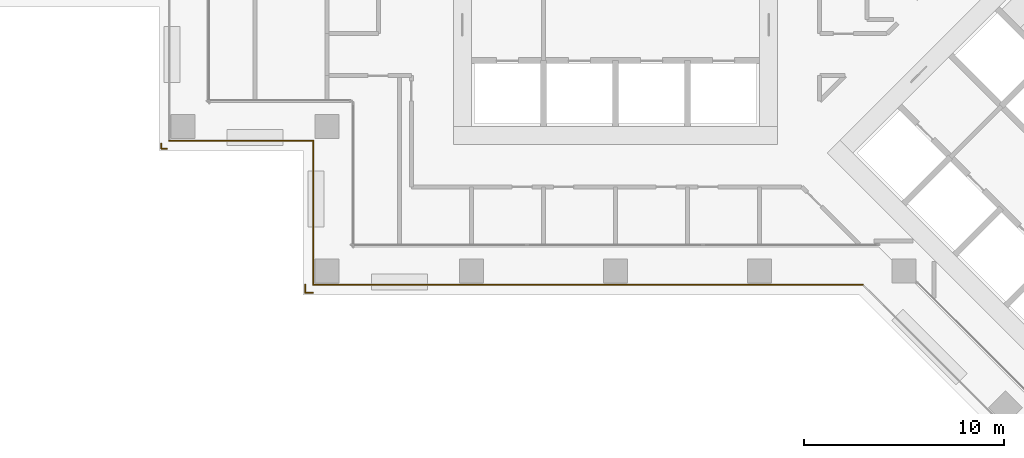
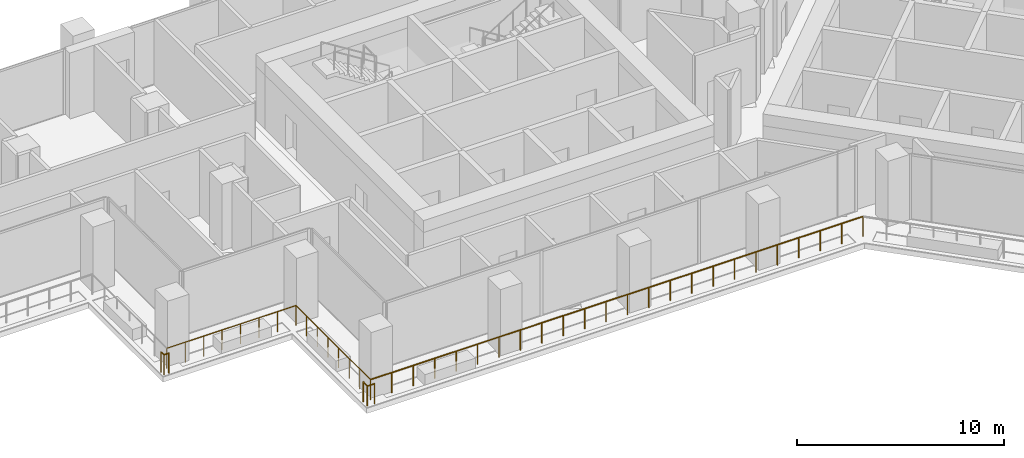
# One storey, part 16 of 24: 7 railings.
"""IFC4 building model written with IfcOpenShell, lengths in metres."""

from ifc_helpers import new_model, si_unit, direction, frame, origin, origin_2d, place, context, subcontext, project, spatial, circle, extrude, material, type_object, element, save


model = new_model("IFC4")

# Units and contexts
model_context = context("Model", 3, precision=1e-05, world=origin(), true_north=direction((0.0, 1.0)))
body_context = subcontext(model_context, "Body", "Model", "MODEL_VIEW")
ifc_project = project(units=[si_unit("LENGTHUNIT", "METRE"), si_unit("AREAUNIT", "SQUARE_METRE"), si_unit("VOLUMEUNIT", "CUBIC_METRE"), si_unit("PLANEANGLEUNIT", "RADIAN"), si_unit("MASSUNIT", "GRAM", prefix="KILO")], contexts=[model_context])

# Site, building, storey
site_placement = place(None, origin())
site = spatial("IfcSite", under=ifc_project, at=site_placement, CompositionType="ELEMENT")
building_placement = place(site_placement, origin())
building = spatial("IfcBuilding", under=site, at=building_placement, Name="Windrow Commons", CompositionType="ELEMENT")
storey_placement = place(building_placement, frame((0.0, 0.0, 77.0)))
storey = spatial("IfcBuildingStorey", under=building, at=storey_placement, Name="L20", CompositionType="ELEMENT", Elevation=77.0)

# Railings
ifc_material = material(Name="Stainless steel S316 balustrade with toughened glass infill", Category="steel")
railing_type = type_object("IfcRailingType", Name="Terrace guard 1200 podium", PredefinedType="BALUSTRADE", material=ifc_material)
railing_1_placement = place(storey_placement, frame((77.163, 42.5, 0.05)))
element("IfcRailing", 1, at=railing_1_placement, inside=storey, type_object=railing_type, Name="Guard TR-L20-1.E1", PredefinedType="BALUSTRADE", context=body_context, shape_type="SweptSolid", body=[
    extrude(circle(Radius=0.025, at=origin_2d()), frame((0.0, 0.0, 1.175), z_axis=(-1.0, 0.0, 0.0), x_axis=(0.0, -1.0, 0.0)), (0.0, 0.0, 1.0), 27.463),
    extrude(circle(Radius=0.02, at=origin_2d()), origin(), (0.0, 0.0, 1.0), 1.15),
    extrude(circle(Radius=0.02, at=origin_2d()), frame((-1.194, 0.0, 0.0)), (0.0, 0.0, 1.0), 1.15),
    extrude(circle(Radius=0.02, at=origin_2d()), frame((-2.3881, 0.0, 0.0)), (0.0, 0.0, 1.0), 1.15),
    extrude(circle(Radius=0.02, at=origin_2d()), frame((-3.5821, 0.0, 0.0)), (0.0, 0.0, 1.0), 1.15),
    extrude(circle(Radius=0.02, at=origin_2d()), frame((-4.7762, 0.0, 0.0)), (0.0, 0.0, 1.0), 1.15),
    extrude(circle(Radius=0.02, at=origin_2d()), frame((-5.9702, 0.0, 0.0)), (0.0, 0.0, 1.0), 1.15),
    extrude(circle(Radius=0.02, at=origin_2d()), frame((-7.1643, 0.0, 0.0)), (0.0, 0.0, 1.0), 1.15),
    extrude(circle(Radius=0.02, at=origin_2d()), frame((-8.3583, 0.0, 0.0)), (0.0, 0.0, 1.0), 1.15),
    extrude(circle(Radius=0.02, at=origin_2d()), frame((-9.5523, 0.0, 0.0)), (0.0, 0.0, 1.0), 1.15),
    extrude(circle(Radius=0.02, at=origin_2d()), frame((-10.7464, 0.0, 0.0)), (0.0, 0.0, 1.0), 1.15),
    extrude(circle(Radius=0.02, at=origin_2d()), frame((-11.9404, 0.0, 0.0)), (0.0, 0.0, 1.0), 1.15),
    extrude(circle(Radius=0.02, at=origin_2d()), frame((-13.1345, 0.0, 0.0)), (0.0, 0.0, 1.0), 1.15),
    extrude(circle(Radius=0.02, at=origin_2d()), frame((-14.3285, 0.0, 0.0)), (0.0, 0.0, 1.0), 1.15),
    extrude(circle(Radius=0.02, at=origin_2d()), frame((-15.5226, 0.0, 0.0)), (0.0, 0.0, 1.0), 1.15),
    extrude(circle(Radius=0.02, at=origin_2d()), frame((-16.7166, 0.0, 0.0)), (0.0, 0.0, 1.0), 1.15),
    extrude(circle(Radius=0.02, at=origin_2d()), frame((-17.9107, 0.0, 0.0)), (0.0, 0.0, 1.0), 1.15),
    extrude(circle(Radius=0.02, at=origin_2d()), frame((-19.1047, 0.0, 0.0)), (0.0, 0.0, 1.0), 1.15),
    extrude(circle(Radius=0.02, at=origin_2d()), frame((-20.2987, 0.0, 0.0)), (0.0, 0.0, 1.0), 1.15),
    extrude(circle(Radius=0.02, at=origin_2d()), frame((-21.4928, 0.0, 0.0)), (0.0, 0.0, 1.0), 1.15),
    extrude(circle(Radius=0.02, at=origin_2d()), frame((-22.6868, 0.0, 0.0)), (0.0, 0.0, 1.0), 1.15),
    extrude(circle(Radius=0.02, at=origin_2d()), frame((-23.8809, 0.0, 0.0)), (0.0, 0.0, 1.0), 1.15),
    extrude(circle(Radius=0.02, at=origin_2d()), frame((-25.0749, 0.0, 0.0)), (0.0, 0.0, 1.0), 1.15),
    extrude(circle(Radius=0.02, at=origin_2d()), frame((-26.269, 0.0, 0.0)), (0.0, 0.0, 1.0), 1.15),
    extrude(circle(Radius=0.02, at=origin_2d()), frame((-27.463, 0.0, 0.0)), (0.0, 0.0, 1.0), 1.15),
])
railing_2_placement = place(storey_placement, frame((49.7, 42.5, 0.05)))
element("IfcRailing", 2, at=railing_2_placement, inside=storey, type_object=railing_type, Name="Guard TR-L20-1.E2", PredefinedType="BALUSTRADE", context=body_context, shape_type="SweptSolid", body=[
    extrude(circle(Radius=0.025, at=origin_2d()), frame((0.0, 0.0, 1.175), z_axis=(0.0, 1.0, 0.0), x_axis=(-1.0, 0.0, 0.0)), (0.0, 0.0, 1.0), 7.2),
    extrude(circle(Radius=0.02, at=origin_2d()), origin(), (0.0, 0.0, 1.0), 1.15),
    extrude(circle(Radius=0.02, at=origin_2d()), frame((0.0, 1.0286, 0.0)), (0.0, 0.0, 1.0), 1.15),
    extrude(circle(Radius=0.02, at=origin_2d()), frame((0.0, 2.0571, 0.0)), (0.0, 0.0, 1.0), 1.15),
    extrude(circle(Radius=0.02, at=origin_2d()), frame((0.0, 3.0857, 0.0)), (0.0, 0.0, 1.0), 1.15),
    extrude(circle(Radius=0.02, at=origin_2d()), frame((0.0, 4.1143, 0.0)), (0.0, 0.0, 1.0), 1.15),
    extrude(circle(Radius=0.02, at=origin_2d()), frame((0.0, 5.1429, 0.0)), (0.0, 0.0, 1.0), 1.15),
    extrude(circle(Radius=0.02, at=origin_2d()), frame((0.0, 6.1714, 0.0)), (0.0, 0.0, 1.0), 1.15),
    extrude(circle(Radius=0.02, at=origin_2d()), frame((0.0, 7.2, 0.0)), (0.0, 0.0, 1.0), 1.15),
])
railing_3_placement = place(storey_placement, frame((49.7, 49.7, 0.05)))
element("IfcRailing", 3, at=railing_3_placement, inside=storey, type_object=railing_type, Name="Guard TR-L20-1.E3", PredefinedType="BALUSTRADE", context=body_context, shape_type="SweptSolid", body=[
    extrude(circle(Radius=0.025, at=origin_2d()), frame((0.0, 0.0, 1.175), z_axis=(-1.0, 0.0, 0.0), x_axis=(0.0, -1.0, 0.0)), (0.0, 0.0, 1.0), 7.2),
    extrude(circle(Radius=0.02, at=origin_2d()), origin(), (0.0, 0.0, 1.0), 1.15),
    extrude(circle(Radius=0.02, at=origin_2d()), frame((-1.0286, 0.0, 0.0)), (0.0, 0.0, 1.0), 1.15),
    extrude(circle(Radius=0.02, at=origin_2d()), frame((-2.0571, 0.0, 0.0)), (0.0, 0.0, 1.0), 1.15),
    extrude(circle(Radius=0.02, at=origin_2d()), frame((-3.0857, 0.0, 0.0)), (0.0, 0.0, 1.0), 1.15),
    extrude(circle(Radius=0.02, at=origin_2d()), frame((-4.1143, 0.0, 0.0)), (0.0, 0.0, 1.0), 1.15),
    extrude(circle(Radius=0.02, at=origin_2d()), frame((-5.1429, 0.0, 0.0)), (0.0, 0.0, 1.0), 1.15),
    extrude(circle(Radius=0.02, at=origin_2d()), frame((-6.1714, 0.0, 0.0)), (0.0, 0.0, 1.0), 1.15),
    extrude(circle(Radius=0.02, at=origin_2d()), frame((-7.2, 0.0, 0.0)), (0.0, 0.0, 1.0), 1.15),
])
railing_4_placement = place(storey_placement, frame((42.3857, 49.3, 0.05)))
element("IfcRailing", 4, at=railing_4_placement, inside=storey, type_object=railing_type, Name="Guard TR-L20-1.C26", PredefinedType="BALUSTRADE", context=body_context, shape_type="SweptSolid", body=[
    extrude(circle(Radius=0.025, at=origin_2d()), frame((0.0, 0.0, 1.175), z_axis=(-1.0, 0.0, 0.0), x_axis=(0.0, -1.0, 0.0)), (0.0, 0.0, 1.0), 0.2752),
    extrude(circle(Radius=0.02, at=origin_2d()), origin(), (0.0, 0.0, 1.0), 1.15),
    extrude(circle(Radius=0.02, at=origin_2d()), frame((-0.2752, 0.0, 0.0)), (0.0, 0.0, 1.0), 1.15),
])
railing_5_placement = place(storey_placement, frame((42.1105, 49.3, 0.05)))
element("IfcRailing", 5, at=railing_5_placement, inside=storey, type_object=railing_type, Name="Guard TR-L20-1.C27", PredefinedType="BALUSTRADE", context=body_context, shape_type="SweptSolid", body=[
    extrude(circle(Radius=0.025, at=origin_2d()), frame((0.0, 0.0, 1.175), z_axis=(-0.0396363762, 0.9992141701, 0.0), x_axis=(-0.9992141701, -0.0396363762, 0.0)), (0.0, 0.0, 1.0), 0.2649),
    extrude(circle(Radius=0.02, at=origin_2d()), origin(), (0.0, 0.0, 1.0), 1.15),
    extrude(circle(Radius=0.02, at=origin_2d()), frame((-0.0105, 0.2647, 0.0)), (0.0, 0.0, 1.0), 1.15),
])
railing_6_placement = place(storey_placement, frame((49.6927, 42.1, 0.05)))
element("IfcRailing", 6, at=railing_6_placement, inside=storey, type_object=railing_type, Name="Guard TR-L20-1.C28", PredefinedType="BALUSTRADE", context=body_context, shape_type="SweptSolid", body=[
    extrude(circle(Radius=0.025, at=origin_2d()), frame((0.0, 0.0, 1.175), z_axis=(-0.9998176726, 0.0190950663, 0.0), x_axis=(-0.0190950663, -0.9998176726, 0.0)), (0.0, 0.0, 1.0), 0.3928),
    extrude(circle(Radius=0.02, at=origin_2d()), origin(), (0.0, 0.0, 1.0), 1.15),
    extrude(circle(Radius=0.02, at=origin_2d()), frame((-0.3927, 0.0075, 0.0)), (0.0, 0.0, 1.0), 1.15),
])
railing_7_placement = place(storey_placement, frame((49.3, 42.1075, 0.05)))
element("IfcRailing", 7, at=railing_7_placement, inside=storey, type_object=railing_type, Name="Guard TR-L20-1.C29", PredefinedType="BALUSTRADE", context=body_context, shape_type="SweptSolid", body=[
    extrude(circle(Radius=0.025, at=origin_2d()), frame((0.0, 0.0, 1.175), z_axis=(0.0, 1.0, 0.0), x_axis=(-1.0, 0.0, 0.0)), (0.0, 0.0, 1.0), 0.4003),
    extrude(circle(Radius=0.02, at=origin_2d()), origin(), (0.0, 0.0, 1.0), 1.15),
    extrude(circle(Radius=0.02, at=origin_2d()), frame((0.0, 0.4003, 0.0)), (0.0, 0.0, 1.0), 1.15),
])

save(model, "model.ifc")
